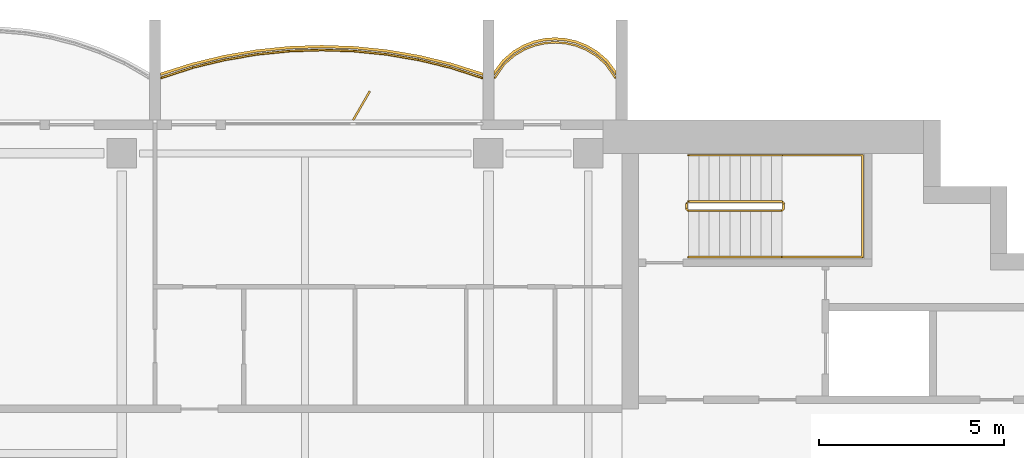
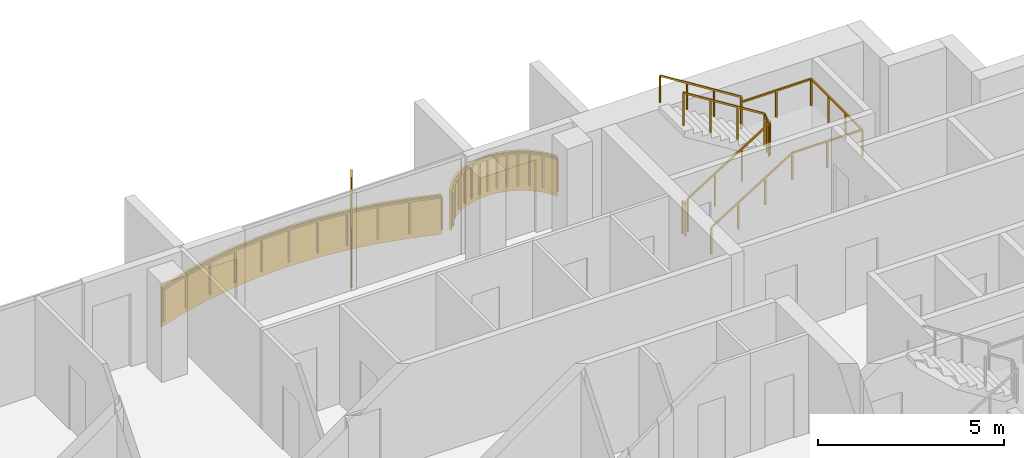
# One storey, part 16 of 16: 4 railings, 2 coverings, 1 shading device.
"""IFC4 building model written with IfcOpenShell, lengths in metres."""

import ifcopenshell
import ifcopenshell.guid

model = None  # the IFC model being written
_history = None  # IfcOwnerHistory: only IFC2X3 demands one
_inside = {}  # id of a spatial element -> (the spatial element, [elements in it])
_under = {}  # id of a project, library or spatial element -> (it, [spatial elements below it])
_declared = {}  # id of a project -> (the project, [libraries it declares])
_typed = {}  # id of a type object -> (the type object, [elements of that type])
_made_of = {}  # id of a material, layer set ... -> (it, [elements and type objects made of it])


def new_model(schema):
    """Start an empty IFC model of exactly this schema.

    Asked for "IFC4X3", IfcOpenShell would pick the latest addendum, in which some entities
    have other attributes; the version numbers below select the first issue.
    IFC2X3 requires an IfcOwnerHistory on every rooted entity: one is made here for all.
    """
    global model, _history
    if schema == "IFC4X3":
        model = ifcopenshell.file(schema_version=(4, 3, 0, 0))
    else:
        model = ifcopenshell.file(schema=schema)
    _inside.clear()
    _under.clear()
    _declared.clear()
    _typed.clear()
    _made_of.clear()
    _history = None
    if model.schema == "IFC2X3":
        org = make("IfcOrganization", Name="unknown")
        user = make(
            "IfcPersonAndOrganization",
            ThePerson=make("IfcPerson", FamilyName="unknown"),
            TheOrganization=org,
        )
        app = make(
            "IfcApplication",
            ApplicationDeveloper=org,
            Version="unknown",
            ApplicationFullName="unknown",
            ApplicationIdentifier="unknown",
        )
        _history = make(
            "IfcOwnerHistory",
            OwningUser=user,
            OwningApplication=app,
            ChangeAction="ADDED",
            CreationDate=0,
        )
    return model


def make(cls, **values):
    """One entity of the class cls with the attributes given. An attribute that is None is left unset."""
    return model.create_entity(
        cls, **{name: value for name, value in values.items() if value is not None}
    )


def rooted(cls, **values):
    """An entity with a GlobalId (a new one), such as an element, a storey or a relation."""
    return make(cls, GlobalId=ifcopenshell.guid.new(), OwnerHistory=_history, **values)


def si_unit(unit_type, name, prefix=None):
    """IfcSIUnit, for example si_unit("LENGTHUNIT", "METRE", prefix="MILLI")."""
    return make("IfcSIUnit", UnitType=unit_type, Prefix=prefix, Name=name)


def assignment(units):
    """IfcUnitAssignment: the units of a project."""
    return None if units is None else make("IfcUnitAssignment", Units=units)


def point(xyz):
    """IfcCartesianPoint."""
    return None if xyz is None else make("IfcCartesianPoint", Coordinates=xyz)


def direction(xyz):
    """IfcDirection."""
    return None if xyz is None else make("IfcDirection", DirectionRatios=xyz)


def frame(location, z_axis=None, x_axis=None):
    """IfcAxis2Placement3D, a coordinate frame: its origin and axes. An axis left out is left unset."""
    return make(
        "IfcAxis2Placement3D",
        Location=point(location),
        Axis=direction(z_axis),
        RefDirection=direction(x_axis),
    )


def frame_2d(location, x_axis=None):
    """IfcAxis2Placement2D, a coordinate frame in the plane: its origin and x axis."""
    return make(
        "IfcAxis2Placement2D", Location=point(location), RefDirection=direction(x_axis)
    )


def origin():
    """The frame at (0, 0, 0) with its axes left unset."""
    return frame((0.0, 0.0, 0.0))


def origin_2d():
    """The frame at (0, 0) in the plane with its x axis left unset."""
    return frame_2d((0.0, 0.0))


def place(relative_to, where):
    """IfcLocalPlacement: puts the frame where relative to a parent placement (None: the world)."""
    return make(
        "IfcLocalPlacement", PlacementRelTo=relative_to, RelativePlacement=where
    )


def context(
    kind, dimensions, precision=None, world=None, true_north=None, identifier=None
):
    """IfcGeometricRepresentationContext, for example the 3D "Model" context."""
    return make(
        "IfcGeometricRepresentationContext",
        ContextIdentifier=identifier,
        ContextType=kind,
        CoordinateSpaceDimension=dimensions,
        Precision=precision,
        WorldCoordinateSystem=world,
        TrueNorth=true_north,
    )


def subcontext(parent, identifier, kind, view, scale=None):
    """IfcGeometricRepresentationSubContext, for example "Body" below "Model"."""
    return make(
        "IfcGeometricRepresentationSubContext",
        ContextIdentifier=identifier,
        ContextType=kind,
        ParentContext=parent,
        TargetScale=scale,
        TargetView=view,
    )


def project(units=None, contexts=None):
    """IfcProject with its units and contexts."""
    return rooted(
        "IfcProject",
        Name="project",
        RepresentationContexts=contexts,
        UnitsInContext=assignment(units),
    )


def spatial(cls, under=None, at=None, **own):
    """A site, building, storey or space (cls), placed at a placement, below another one or the project."""
    s = rooted(cls, ObjectPlacement=at, **own)
    if under is not None:
        _under.setdefault(under.id(), (under, []))[1].append(s)
    return s


def polyline(points):
    """IfcPolyline through the points."""
    return make("IfcPolyline", Points=[point(p) for p in points])


def profile(cls, at=None, kind="AREA", **sizes):
    """A parametric profile (cls). Its sizes go by their IFC names, for example OverallWidth=200.0."""
    return make(cls, ProfileType=kind, Position=at, **sizes)


def rectangle(**sizes):
    """IfcRectangleProfileDef."""
    return profile("IfcRectangleProfileDef", **sizes)


def outline(outer, holes=None, kind="AREA"):
    """IfcArbitraryClosedProfileDef: a profile drawn as a closed curve; with holes, ...WithVoids."""
    if holes is None:
        return make("IfcArbitraryClosedProfileDef", ProfileType=kind, OuterCurve=outer)
    return make(
        "IfcArbitraryProfileDefWithVoids",
        ProfileType=kind,
        OuterCurve=outer,
        InnerCurves=holes,
    )


def extrude(swept, where, along, depth):
    """IfcExtrudedAreaSolid: the profile swept, set in the frame where, extruded along a direction by depth."""
    return make(
        "IfcExtrudedAreaSolid",
        SweptArea=swept,
        Position=where,
        ExtrudedDirection=direction(along),
        Depth=depth,
    )


def shape(context_of_items, identifier, shape_type, items):
    """IfcShapeRepresentation: the items that make up one representation, for example the "Body"."""
    return make(
        "IfcShapeRepresentation",
        ContextOfItems=context_of_items,
        RepresentationIdentifier=identifier,
        RepresentationType=shape_type,
        Items=items,
    )


def material(Name=None, Category=None):
    """IfcMaterial."""
    return make("IfcMaterial", Name=Name, Category=Category)


def layer(
    of_material, thickness, ventilated=None, Name=None, Category=None, Priority=None
):
    """IfcMaterialLayer: one layer of a wall or slab, of a material (None: an air gap)."""
    return make(
        "IfcMaterialLayer",
        Material=of_material,
        LayerThickness=thickness,
        IsVentilated=ventilated,
        Name=Name,
        Category=Category,
        Priority=Priority,
    )


def layer_set(layers, Name=None):
    """IfcMaterialLayerSet."""
    return make("IfcMaterialLayerSet", MaterialLayers=layers, LayerSetName=Name)


def made_of(thing, what):
    """Note that an element or type object is made of a material, layer set ...; save() writes the relation."""
    if what is not None:
        _made_of.setdefault(what.id(), (what, []))[1].append(thing)
    return thing


def type_object(cls, material=None, **own):
    """A type object (cls), such as IfcWallType, which elements share."""
    return made_of(rooted(cls, **own), material)


def element(
    cls,
    number,
    at=None,
    inside=None,
    cuts=None,
    type_object=None,
    material=None,
    context=None,
    identifier="Body",
    shape_type=None,
    held_by="IfcProductDefinitionShape",
    body=None,
    shapes=None,
    **own,
):
    """One element of the class cls, such as IfcWall. Its Tag is "e" and its number.

    at: its placement. inside: the storey or other place that contains it. cuts: it is an
    opening in that element (IfcRelVoidsElement). A single representation is given by context,
    identifier, shape_type and body (its items); several are given by shapes. held_by: the class
    of the entity that holds the representations. save() writes the other relations.
    """
    e = rooted(cls, Tag="e%d" % number, ObjectPlacement=at, **own)
    if body is not None:
        shapes = [shape(context, identifier, shape_type, body)]
    if shapes is not None:
        e.Representation = make(held_by, Representations=shapes)
    if inside is not None:
        _inside.setdefault(inside.id(), (inside, []))[1].append(e)
    if cuts is not None:
        rooted(
            "IfcRelVoidsElement", RelatingBuildingElement=cuts, RelatedOpeningElement=e
        )
    if type_object is not None:
        _typed.setdefault(type_object.id(), (type_object, []))[1].append(e)
    return made_of(e, material)


def aggregate(whole, parts):
    """IfcRelAggregates: a whole, such as a stair, and the parts it consists of."""
    return rooted("IfcRelAggregates", RelatingObject=whole, RelatedObjects=parts)


def save(model, path):
    """Write the relations noted so far, then the file.

    IfcRelAggregates (storeys below a building ...), IfcRelContainedInSpatialStructure (elements
    in a storey), IfcRelDefinesByType, IfcRelAssociatesMaterial and IfcRelDeclares: one each for
    every whole, place, type object, material and project.
    """
    for whole, parts in _under.values():
        aggregate(whole, parts)
    for where, things in _inside.values():
        rooted(
            "IfcRelContainedInSpatialStructure",
            RelatedElements=things,
            RelatingStructure=where,
        )
    for kind, things in _typed.values():
        rooted("IfcRelDefinesByType", RelatedObjects=things, RelatingType=kind)
    for what, things in _made_of.values():
        rooted("IfcRelAssociatesMaterial", RelatedObjects=things, RelatingMaterial=what)
    for by, libraries in _declared.values():
        rooted("IfcRelDeclares", RelatingContext=by, RelatedDefinitions=libraries)
    model.write(path)


model = new_model("IFC4")

# Units and contexts
model_context = context("Model", 3, precision=1e-05, world=origin(), true_north=direction((0.0, 1.0)))
body_context = subcontext(model_context, "Body", "Model", "MODEL_VIEW")
ifc_project = project(units=[si_unit("LENGTHUNIT", "METRE"), si_unit("AREAUNIT", "SQUARE_METRE"), si_unit("VOLUMEUNIT", "CUBIC_METRE"), si_unit("PLANEANGLEUNIT", "RADIAN"), si_unit("MASSUNIT", "GRAM", prefix="KILO")], contexts=[model_context])

# Site, building, storey
site_placement = place(None, origin())
site = spatial("IfcSite", under=ifc_project, at=site_placement, CompositionType="ELEMENT")
building_placement = place(site_placement, origin())
building = spatial("IfcBuilding", under=site, at=building_placement, Name="Perihelion Cross Residences", CompositionType="ELEMENT")
storey_placement = place(building_placement, frame((0.0, 0.0, 232.5)))
storey = spatial("IfcBuildingStorey", under=building, at=storey_placement, Name="L58", CompositionType="ELEMENT", Elevation=232.5)

# Coverings
ifc_material_1 = material(Name="Bronze anodised aluminium", Category="aluminium")
ifc_layer_1 = layer(ifc_material_1, 0.070068359375)
ifc_layer_set_1 = layer_set([ifc_layer_1], Name="Balcony fascia 1300")
covering_type = type_object("IfcCoveringType", Name="Balcony fascia 1300", PredefinedType="CLADDING", material=ifc_layer_set_1)
covering_1_placement = place(storey_placement, frame((0.0, 0.0, -0.199951171875)))
element("IfcCovering", 1, at=covering_1_placement, inside=storey, type_object=covering_type, Name="Fascia BF1 L58 east side north bay 1", PredefinedType="CLADDING", context=body_context, shape_type="SweptSolid", body=[
    extrude(outline(polyline([(21.226318359375, 10.616455078125), (20.94091796875, 10.86328125), (20.655517578125, 11.031494140625), (20.370361328125, 11.142578125), (20.085205078125, 11.206298828125), (19.800048828125, 11.22705078125), (19.514892578125, 11.206298828125), (19.229736328125, 11.142578125), (18.9443359375, 11.031494140625), (18.6591796875, 10.86328125), (18.373779296875, 10.616455078125), (18.14990234375, 10.31689453125), (18.14990234375, 10.199951171875), (18.425048828125, 10.568603515625), (18.699951171875, 10.806396484375), (18.97509765625, 10.96875), (19.25, 11.07568359375), (19.52490234375, 11.136962890625), (19.800048828125, 11.156982421875), (20.074951171875, 11.136962890625), (20.35009765625, 11.07568359375), (20.625, 10.96875), (20.89990234375, 10.806396484375), (21.175048828125, 10.568603515625), (21.449951171875, 10.199951171875), (21.449951171875, 10.31689453125), (21.226318359375, 10.616455078125)])), origin(), (0.0, 0.0, 1.0), 1.300048828125),
])
covering_2_placement = place(storey_placement, frame((0.0, 0.0, -0.199951171875)))
element("IfcCovering", 2, at=covering_2_placement, inside=storey, type_object=covering_type, Name="Fascia BF1 L58 east side north bay 2", PredefinedType="CLADDING", context=body_context, shape_type="SweptSolid", body=[
    extrude(outline(polyline([(16.998779296875, 10.542724609375), (16.1240234375, 10.753662109375), (15.249267578125, 10.90234375), (14.374755859375, 10.99072265625), (13.5, 11.02001953125), (12.625244140625, 10.99072265625), (11.750732421875, 10.90234375), (10.8759765625, 10.753662109375), (10.001220703125, 10.542724609375), (9.14990234375, 10.2734375), (9.14990234375, 10.199951171875), (10.02001953125, 10.47509765625), (10.889892578125, 10.68505859375), (11.760009765625, 10.8330078125), (12.6298828125, 10.9208984375), (13.5, 10.949951171875), (14.3701171875, 10.9208984375), (15.239990234375, 10.8330078125), (16.110107421875, 10.68505859375), (16.97998046875, 10.47509765625), (17.85009765625, 10.199951171875), (17.85009765625, 10.2734375), (16.998779296875, 10.542724609375)])), origin(), (0.0, 0.0, 1.0), 1.300048828125),
])

# Railings
ifc_material_2 = material(Name="Bronze anodised aluminium", Category="aluminium")
railing_type_1 = type_object("IfcRailingType", Name="Balcony guard 1100", PredefinedType="GUARDRAIL", material=ifc_material_2)
railing_1_placement = place(storey_placement, frame((21.425048828125, 10.139892578125, 0.0)))
element("IfcRailing", 3, at=railing_1_placement, inside=storey, type_object=railing_type_1, Name="Guard GU1 L58 east side north bay 1 balcony", PredefinedType="GUARDRAIL", context=body_context, shape_type="SweptSolid", body=[
    extrude(rectangle(XDim=0.048095703125, YDim=0.048095703125, at=origin_2d()), frame((0.0, 0.0, 1.076171875), z_axis=(-0.561260132269, 0.827639452857, 0.0), x_axis=(-0.827639452857, -0.561260132269, 0.0)), (0.0, 0.0, 1.0), 0.4453125),
    extrude(rectangle(XDim=0.048095703125, YDim=0.048095703125, at=origin_2d()), frame((-0.25, 0.36865234375, 1.076171875), z_axis=(-0.756596535164, 0.653882009982, 0.0), x_axis=(-0.653882009982, -0.756596535164, 0.0)), (0.0, 0.0, 1.0), 0.36376953125),
    extrude(rectangle(XDim=0.048095703125, YDim=0.048095703125, at=origin_2d()), frame((-0.525146484375, 0.6064453125, 1.076171875), z_axis=(-0.861048292884, 0.508523192511, 0.0), x_axis=(-0.508523192511, -0.861048292884, 0.0)), (0.0, 0.0, 1.0), 0.3193359375),
    extrude(rectangle(XDim=0.048095703125, YDim=0.048095703125, at=origin_2d()), frame((-0.800048828125, 0.768798828125, 1.076171875), z_axis=(-0.931973602183, 0.362526143656, 0.0), x_axis=(-0.362526143656, -0.931973602183, 0.0)), (0.0, 0.0, 1.0), 0.294921875),
    extrude(rectangle(XDim=0.048095703125, YDim=0.048095703125, at=origin_2d()), frame((-1.074951171875, 0.875732421875, 1.076171875), z_axis=(-0.976085059389, 0.21738895289, 0.0), x_axis=(-0.21738895289, -0.976085059389, 0.0)), (0.0, 0.0, 1.0), 0.281982421875),
    extrude(rectangle(XDim=0.048095703125, YDim=0.048095703125, at=origin_2d()), frame((-1.35009765625, 0.93701171875, 1.076171875), z_axis=(-0.997358821833, 0.072631814734, 0.0), x_axis=(-0.072631814734, -0.997358821833, 0.0)), (0.0, 0.0, 1.0), 0.275634765625),
    extrude(rectangle(XDim=0.048095703125, YDim=0.048095703125, at=origin_2d()), frame((-1.625, 0.95703125, 1.076171875), z_axis=(-0.997363488337, -0.072567707226, 0.0), x_axis=(0.072567707226, -0.997363488337, 0.0)), (0.0, 0.0, 1.0), 0.27587890625),
    extrude(rectangle(XDim=0.048095703125, YDim=0.048095703125, at=origin_2d()), frame((-1.900146484375, 0.93701171875, 1.076171875), z_axis=(-0.976044077717, -0.217572880557, 0.0), x_axis=(0.217572880557, -0.976044077717, 0.0)), (0.0, 0.0, 1.0), 0.28173828125),
    extrude(rectangle(XDim=0.048095703125, YDim=0.048095703125, at=origin_2d()), frame((-2.175048828125, 0.875732421875, 1.076171875), z_axis=(-0.931973602183, -0.362526143656, 0.0), x_axis=(0.362526143656, -0.931973602183, 0.0)), (0.0, 0.0, 1.0), 0.294921875),
    extrude(rectangle(XDim=0.048095703125, YDim=0.048095703125, at=origin_2d()), frame((-2.449951171875, 0.768798828125, 1.076171875), z_axis=(-0.861245845072, -0.508188542123, 0.0), x_axis=(0.508188542123, -0.861245845072, 0.0)), (0.0, 0.0, 1.0), 0.319580078125),
    extrude(rectangle(XDim=0.048095703125, YDim=0.048095703125, at=origin_2d()), frame((-2.72509765625, 0.6064453125, 1.076171875), z_axis=(-0.756309278473, -0.654214242658, 0.0), x_axis=(0.654214242658, -0.756309278473, 0.0)), (0.0, 0.0, 1.0), 0.363525390625),
    extrude(rectangle(XDim=0.048095703125, YDim=0.048095703125, at=origin_2d()), frame((-3.0, 0.36865234375, 1.076171875), z_axis=(-0.561260132269, -0.827639452857, 0.0), x_axis=(0.827639452857, -0.561260132269, 0.0)), (0.0, 0.0, 1.0), 0.4453125),
    extrude(rectangle(XDim=0.0419921875, YDim=0.0419921875, at=origin_2d()), origin(), (0.0, 0.0, 1.0), 1.052001953125),
    extrude(rectangle(XDim=0.0419921875, YDim=0.0419921875, at=origin_2d()), frame((-0.25, 0.36865234375, 0.0)), (0.0, 0.0, 1.0), 1.052001953125),
    extrude(rectangle(XDim=0.0419921875, YDim=0.0419921875, at=origin_2d()), frame((-0.525146484375, 0.6064453125, 0.0)), (0.0, 0.0, 1.0), 1.052001953125),
    extrude(rectangle(XDim=0.0419921875, YDim=0.0419921875, at=origin_2d()), frame((-0.800048828125, 0.768798828125, 0.0)), (0.0, 0.0, 1.0), 1.052001953125),
    extrude(rectangle(XDim=0.0419921875, YDim=0.0419921875, at=origin_2d()), frame((-1.074951171875, 0.875732421875, 0.0)), (0.0, 0.0, 1.0), 1.052001953125),
    extrude(rectangle(XDim=0.0419921875, YDim=0.0419921875, at=origin_2d()), frame((-1.35009765625, 0.93701171875, 0.0)), (0.0, 0.0, 1.0), 1.052001953125),
    extrude(rectangle(XDim=0.0419921875, YDim=0.0419921875, at=origin_2d()), frame((-1.625, 0.95703125, 0.0)), (0.0, 0.0, 1.0), 1.052001953125),
    extrude(rectangle(XDim=0.0419921875, YDim=0.0419921875, at=origin_2d()), frame((-1.900146484375, 0.93701171875, 0.0)), (0.0, 0.0, 1.0), 1.052001953125),
    extrude(rectangle(XDim=0.0419921875, YDim=0.0419921875, at=origin_2d()), frame((-2.175048828125, 0.875732421875, 0.0)), (0.0, 0.0, 1.0), 1.052001953125),
    extrude(rectangle(XDim=0.0419921875, YDim=0.0419921875, at=origin_2d()), frame((-2.449951171875, 0.768798828125, 0.0)), (0.0, 0.0, 1.0), 1.052001953125),
    extrude(rectangle(XDim=0.0419921875, YDim=0.0419921875, at=origin_2d()), frame((-2.72509765625, 0.6064453125, 0.0)), (0.0, 0.0, 1.0), 1.052001953125),
    extrude(rectangle(XDim=0.0419921875, YDim=0.0419921875, at=origin_2d()), frame((-3.0, 0.36865234375, 0.0)), (0.0, 0.0, 1.0), 1.052001953125),
    extrude(rectangle(XDim=0.0419921875, YDim=0.0419921875, at=origin_2d()), frame((-3.25, 0.0, 0.0)), (0.0, 0.0, 1.0), 1.052001953125),
])
railing_2_placement = place(storey_placement, frame((17.824951171875, 10.139892578125, 0.0)))
element("IfcRailing", 4, at=railing_2_placement, inside=storey, type_object=railing_type_1, Name="Guard GU1 L58 east side north bay 2 balcony", PredefinedType="GUARDRAIL", context=body_context, shape_type="SweptSolid", body=[
    extrude(rectangle(XDim=0.048095703125, YDim=0.048095703125, at=origin_2d()), frame((0.0, 0.0, 1.076171875), z_axis=(-0.950777354264, 0.30987484993, 0.0), x_axis=(-0.30987484993, -0.950777354264, 0.0)), (0.0, 0.0, 1.0), 0.888671875),
    extrude(rectangle(XDim=0.048095703125, YDim=0.048095703125, at=origin_2d()), frame((-0.844970703125, 0.275390625, 1.076171875), z_axis=(-0.972146551129, 0.234373810671, 0.0), x_axis=(-0.234373810671, -0.972146551129, 0.0)), (0.0, 0.0, 1.0), 0.894775390625),
    extrude(rectangle(XDim=0.048095703125, YDim=0.048095703125, at=origin_2d()), frame((-1.71484375, 0.485107421875, 1.076171875), z_axis=(-0.985850361727, 0.167627755108, 0.0), x_axis=(-0.167627755108, -0.985850361727, 0.0)), (0.0, 0.0, 1.0), 0.882568359375),
    extrude(rectangle(XDim=0.048095703125, YDim=0.048095703125, at=origin_2d()), frame((-2.5849609375, 0.633056640625, 1.076171875), z_axis=(-0.994934368303, 0.100526627165, 0.0), x_axis=(-0.100526627165, -0.994934368303, 0.0)), (0.0, 0.0, 1.0), 0.874267578125),
    extrude(rectangle(XDim=0.048095703125, YDim=0.048095703125, at=origin_2d()), frame((-3.454833984375, 0.720947265625, 1.076171875), z_axis=(-0.999443037968, 0.0333708534, 0.0), x_axis=(-0.0333708534, -0.999443037968, 0.0)), (0.0, 0.0, 1.0), 0.87060546875),
    extrude(rectangle(XDim=0.048095703125, YDim=0.048095703125, at=origin_2d()), frame((-4.324951171875, 0.75, 1.076171875), z_axis=(-0.999443037968, -0.0333708534, 0.0), x_axis=(0.0333708534, -0.999443037968, 0.0)), (0.0, 0.0, 1.0), 0.87060546875),
    extrude(rectangle(XDim=0.048095703125, YDim=0.048095703125, at=origin_2d()), frame((-5.195068359375, 0.720947265625, 1.076171875), z_axis=(-0.994934368303, -0.100526627165, 0.0), x_axis=(0.100526627165, -0.994934368303, 0.0)), (0.0, 0.0, 1.0), 0.874267578125),
    extrude(rectangle(XDim=0.048095703125, YDim=0.048095703125, at=origin_2d()), frame((-6.06494140625, 0.633056640625, 1.076171875), z_axis=(-0.985850361727, -0.167627755108, 0.0), x_axis=(0.167627755108, -0.985850361727, 0.0)), (0.0, 0.0, 1.0), 0.882568359375),
    extrude(rectangle(XDim=0.048095703125, YDim=0.048095703125, at=origin_2d()), frame((-6.93505859375, 0.485107421875, 1.076171875), z_axis=(-0.972146551129, -0.234373810671, 0.0), x_axis=(0.234373810671, -0.972146551129, 0.0)), (0.0, 0.0, 1.0), 0.894775390625),
    extrude(rectangle(XDim=0.048095703125, YDim=0.048095703125, at=origin_2d()), frame((-7.804931640625, 0.275390625, 1.076171875), z_axis=(-0.950777354264, -0.30987484993, 0.0), x_axis=(0.30987484993, -0.950777354264, 0.0)), (0.0, 0.0, 1.0), 0.888671875),
    extrude(rectangle(XDim=0.0419921875, YDim=0.0419921875, at=origin_2d()), origin(), (0.0, 0.0, 1.0), 1.052001953125),
    extrude(rectangle(XDim=0.0419921875, YDim=0.0419921875, at=origin_2d()), frame((-0.844970703125, 0.275390625, 0.0)), (0.0, 0.0, 1.0), 1.052001953125),
    extrude(rectangle(XDim=0.0419921875, YDim=0.0419921875, at=origin_2d()), frame((-1.71484375, 0.485107421875, 0.0)), (0.0, 0.0, 1.0), 1.052001953125),
    extrude(rectangle(XDim=0.0419921875, YDim=0.0419921875, at=origin_2d()), frame((-2.5849609375, 0.633056640625, 0.0)), (0.0, 0.0, 1.0), 1.052001953125),
    extrude(rectangle(XDim=0.0419921875, YDim=0.0419921875, at=origin_2d()), frame((-3.454833984375, 0.720947265625, 0.0)), (0.0, 0.0, 1.0), 1.052001953125),
    extrude(rectangle(XDim=0.0419921875, YDim=0.0419921875, at=origin_2d()), frame((-4.324951171875, 0.75, 0.0)), (0.0, 0.0, 1.0), 1.052001953125),
    extrude(rectangle(XDim=0.0419921875, YDim=0.0419921875, at=origin_2d()), frame((-5.195068359375, 0.720947265625, 0.0)), (0.0, 0.0, 1.0), 1.052001953125),
    extrude(rectangle(XDim=0.0419921875, YDim=0.0419921875, at=origin_2d()), frame((-6.06494140625, 0.633056640625, 0.0)), (0.0, 0.0, 1.0), 1.052001953125),
    extrude(rectangle(XDim=0.0419921875, YDim=0.0419921875, at=origin_2d()), frame((-6.93505859375, 0.485107421875, 0.0)), (0.0, 0.0, 1.0), 1.052001953125),
    extrude(rectangle(XDim=0.0419921875, YDim=0.0419921875, at=origin_2d()), frame((-7.804931640625, 0.275390625, 0.0)), (0.0, 0.0, 1.0), 1.052001953125),
    extrude(rectangle(XDim=0.0419921875, YDim=0.0419921875, at=origin_2d()), frame((-8.64990234375, 0.0, 0.0)), (0.0, 0.0, 1.0), 1.052001953125),
])

# Shading device
ifc_material_3 = material(Name="Bronze anodised aluminium", Category="aluminium")
ifc_layer_2 = layer(ifc_material_3, 0.050048828125)
ifc_layer_set_2 = layer_set([ifc_layer_2], Name="Bronze fin 900")
shading_device_type = type_object("IfcShadingDeviceType", Name="Bronze fin 900", PredefinedType="USERDEFINED", material=ifc_layer_set_2)
shading_device_placement = place(storey_placement, frame((14.574951171875, 9.3896484375, 0.0), z_axis=(0.0, 0.0, 1.0), x_axis=(0.5, 0.866025403784, 0.0)))
element("IfcShadingDevice", 5, at=shading_device_placement, inside=storey, type_object=shading_device_type, Name="Fin FN1 L58 east side north bay 2", ObjectType="FIN", PredefinedType="USERDEFINED", context=body_context, shape_type="SweptSolid", body=[
    extrude(rectangle(XDim=0.89990234375, YDim=0.050048828125, at=origin_2d()), origin(), (0.0, 0.0, 1.0), 3.25),
])

# Railings
ifc_material_4 = material(Name="Stainless steel", Category="steel")
railing_type_2 = type_object("IfcRailingType", Name="Stair guard 1100", PredefinedType="GUARDRAIL", material=ifc_material_4)
railing_3_placement = place(storey_placement, frame((23.35009765625, 6.75, 0.0)))
element("IfcRailing", 6, at=railing_3_placement, inside=storey, type_object=railing_type_2, Name="L58 ST-E1 stair guard 1", PredefinedType="GUARDRAIL", context=body_context, shape_type="SweptSolid", body=[
    extrude(rectangle(XDim=0.048095703125, YDim=0.048095703125, at=origin_2d()), frame((0.0, 0.0, 1.076171875), z_axis=(0.0, -1.0, 0.0), x_axis=(1.0, 0.0, 0.0)), (0.0, 0.0, 1.0), 0.14990234375),
    extrude(rectangle(XDim=0.048095703125, YDim=0.048095703125, at=origin_2d()), frame((0.0, -0.14990234375, 1.076171875), z_axis=(0.263862480399, -0.265155923931, 0.927399011991), x_axis=(0.708833529934, 0.705375805398, 0.0)), (0.0, 0.0, 1.0), 0.188720703125),
    extrude(rectangle(XDim=0.048095703125, YDim=0.048095703125, at=origin_2d()), frame((0.0498046875, -0.199951171875, 1.2509765625), z_axis=(0.848007534815, 0.0, 0.529984170421), x_axis=(0.0, 1.0, 0.0)), (0.0, 0.0, 1.0), 2.9716796875),
    extrude(rectangle(XDim=0.048095703125, YDim=0.048095703125, at=origin_2d()), frame((2.56982421875, -0.199951171875, 2.826171875), z_axis=(0.707106781187, 0.707106781187, 0.0), x_axis=(-0.707106781187, 0.707106781187, 0.0)), (0.0, 0.0, 1.0), 0.07080078125),
    extrude(rectangle(XDim=0.048095703125, YDim=0.048095703125, at=origin_2d()), frame((2.619873046875, -0.14990234375, 2.826171875), z_axis=(0.0, 1.0, 0.0), x_axis=(-1.0, 0.0, 0.0)), (0.0, 0.0, 1.0), 0.14990234375),
    extrude(rectangle(XDim=0.048095703125, YDim=0.048095703125, at=origin_2d()), frame((2.619873046875, 0.0, 2.826171875), z_axis=(-0.265065253269, 0.265065253269, 0.927081885822), x_axis=(-0.707106781187, -0.707106781187, 0.0)), (0.0, 0.0, 1.0), 0.188720703125),
    extrude(rectangle(XDim=0.048095703125, YDim=0.048095703125, at=origin_2d()), frame((2.56982421875, 0.050048828125, 3.0009765625), z_axis=(-0.848007534815, 0.0, 0.529984170421), x_axis=(0.0, -1.0, 0.0)), (0.0, 0.0, 1.0), 2.9716796875),
    extrude(rectangle(XDim=0.0419921875, YDim=0.0419921875, at=origin_2d()), origin(), (0.0, 0.0, 1.0), 1.052001953125),
    extrude(rectangle(XDim=0.0419921875, YDim=0.0419921875, at=origin_2d()), frame((0.0, -0.14990234375, 0.0)), (0.0, 0.0, 1.0), 1.052001953125),
    extrude(rectangle(XDim=0.0419921875, YDim=0.0419921875, at=origin_2d()), frame((0.0498046875, -0.199951171875, 0.175048828125)), (0.0, 0.0, 1.0), 1.052001953125),
    extrude(rectangle(XDim=0.0419921875, YDim=0.0419921875, at=origin_2d()), frame((0.889892578125, -0.199951171875, 0.699951171875)), (0.0, 0.0, 1.0), 1.052001953125),
    extrude(rectangle(XDim=0.0419921875, YDim=0.0419921875, at=origin_2d()), frame((1.729736328125, -0.199951171875, 1.22509765625)), (0.0, 0.0, 1.0), 1.052001953125),
    extrude(rectangle(XDim=0.0419921875, YDim=0.0419921875, at=origin_2d()), frame((2.56982421875, -0.199951171875, 1.75)), (0.0, 0.0, 1.0), 1.052001953125),
    extrude(rectangle(XDim=0.0419921875, YDim=0.0419921875, at=origin_2d()), frame((2.619873046875, -0.14990234375, 1.75)), (0.0, 0.0, 1.0), 1.052001953125),
    extrude(rectangle(XDim=0.0419921875, YDim=0.0419921875, at=origin_2d()), frame((2.619873046875, 0.0, 1.75)), (0.0, 0.0, 1.0), 1.052001953125),
    extrude(rectangle(XDim=0.0419921875, YDim=0.0419921875, at=origin_2d()), frame((2.56982421875, 0.050048828125, 1.925048828125)), (0.0, 0.0, 1.0), 1.052001953125),
    extrude(rectangle(XDim=0.0419921875, YDim=0.0419921875, at=origin_2d()), frame((1.729736328125, 0.050048828125, 2.449951171875)), (0.0, 0.0, 1.0), 1.052001953125),
    extrude(rectangle(XDim=0.0419921875, YDim=0.0419921875, at=origin_2d()), frame((0.889892578125, 0.050048828125, 2.97509765625)), (0.0, 0.0, 1.0), 1.052001953125),
    extrude(rectangle(XDim=0.0419921875, YDim=0.0419921875, at=origin_2d()), frame((0.0498046875, 0.050048828125, 3.5)), (0.0, 0.0, 1.0), 1.052001953125),
])
ifc_material_5 = material(Name="Stainless steel", Category="steel")
railing_type_3 = type_object("IfcRailingType", Name="Stair handrail 900", PredefinedType="HANDRAIL", material=ifc_material_5)
railing_4_placement = place(storey_placement, frame((23.39990234375, 5.300048828125, 0.175048828125)))
element("IfcRailing", 7, at=railing_4_placement, inside=storey, type_object=railing_type_3, Name="L58 ST-E1 stair handrail 1", PredefinedType="HANDRAIL", context=body_context, shape_type="SweptSolid", body=[
    extrude(rectangle(XDim=0.048095703125, YDim=0.048095703125, at=origin_2d()), frame((0.0, 0.0, 0.8759765625), z_axis=(0.848007534815, 0.0, 0.529984170421), x_axis=(0.0, 1.0, 0.0)), (0.0, 0.0, 1.0), 2.9716796875),
    extrude(rectangle(XDim=0.048095703125, YDim=0.048095703125, at=origin_2d()), frame((2.52001953125, 0.0, 2.45068359375), z_axis=(1.0, 0.0, 0.0), x_axis=(0.0, 1.0, 0.0)), (0.0, 0.0, 1.0), 2.18017578125),
    extrude(rectangle(XDim=0.048095703125, YDim=0.048095703125, at=origin_2d()), frame((4.7001953125, 0.0, 2.45068359375), z_axis=(0.0, 1.0, 0.0), x_axis=(-1.0, 0.0, 0.0)), (0.0, 0.0, 1.0), 2.75),
    extrude(rectangle(XDim=0.048095703125, YDim=0.048095703125, at=origin_2d()), frame((4.7001953125, 2.75, 2.45068359375), z_axis=(-1.0, 0.0, 0.0), x_axis=(0.0, -1.0, 0.0)), (0.0, 0.0, 1.0), 2.18017578125),
    extrude(rectangle(XDim=0.048095703125, YDim=0.048095703125, at=origin_2d()), frame((2.52001953125, 2.75, 2.45068359375), z_axis=(0.0, 0.0, 1.0), x_axis=(1.0, 0.0, 0.0)), (0.0, 0.0, 1.0), 0.175048828125),
    extrude(rectangle(XDim=0.048095703125, YDim=0.048095703125, at=origin_2d()), frame((2.52001953125, 2.75, 2.6259765625), z_axis=(-0.848007534815, 0.0, 0.529984170421), x_axis=(0.0, -1.0, 0.0)), (0.0, 0.0, 1.0), 2.9716796875),
    extrude(rectangle(XDim=0.0419921875, YDim=0.0419921875, at=origin_2d()), origin(), (0.0, 0.0, 1.0), 0.851806640625),
    extrude(rectangle(XDim=0.0419921875, YDim=0.0419921875, at=origin_2d()), frame((0.840087890625, 0.0, 0.52490234375)), (0.0, 0.0, 1.0), 0.851806640625),
    extrude(rectangle(XDim=0.0419921875, YDim=0.0419921875, at=origin_2d()), frame((1.679931640625, 0.0, 1.050048828125)), (0.0, 0.0, 1.0), 0.851806640625),
    extrude(rectangle(XDim=0.0419921875, YDim=0.0419921875, at=origin_2d()), frame((2.52001953125, 0.0, 1.574951171875)), (0.0, 0.0, 1.0), 0.851806640625),
    extrude(rectangle(XDim=0.0419921875, YDim=0.0419921875, at=origin_2d()), frame((3.610107421875, 0.0, 1.574951171875)), (0.0, 0.0, 1.0), 0.851806640625),
    extrude(rectangle(XDim=0.0419921875, YDim=0.0419921875, at=origin_2d()), frame((4.7001953125, 0.0, 1.574951171875)), (0.0, 0.0, 1.0), 0.851806640625),
    extrude(rectangle(XDim=0.0419921875, YDim=0.0419921875, at=origin_2d()), frame((4.7001953125, 0.916748046875, 1.574951171875)), (0.0, 0.0, 1.0), 0.851806640625),
    extrude(rectangle(XDim=0.0419921875, YDim=0.0419921875, at=origin_2d()), frame((4.7001953125, 1.833251953125, 1.574951171875)), (0.0, 0.0, 1.0), 0.851806640625),
    extrude(rectangle(XDim=0.0419921875, YDim=0.0419921875, at=origin_2d()), frame((4.7001953125, 2.75, 1.574951171875)), (0.0, 0.0, 1.0), 0.851806640625),
    extrude(rectangle(XDim=0.0419921875, YDim=0.0419921875, at=origin_2d()), frame((3.610107421875, 2.75, 1.574951171875)), (0.0, 0.0, 1.0), 0.851806640625),
    extrude(rectangle(XDim=0.0419921875, YDim=0.0419921875, at=origin_2d()), frame((2.52001953125, 2.75, 1.574951171875)), (0.0, 0.0, 1.0), 0.851806640625),
    extrude(rectangle(XDim=0.0419921875, YDim=0.0419921875, at=origin_2d()), frame((2.52001953125, 2.75, 1.75)), (0.0, 0.0, 1.0), 0.851806640625),
    extrude(rectangle(XDim=0.0419921875, YDim=0.0419921875, at=origin_2d()), frame((1.679931640625, 2.75, 2.27490234375)), (0.0, 0.0, 1.0), 0.851806640625),
    extrude(rectangle(XDim=0.0419921875, YDim=0.0419921875, at=origin_2d()), frame((0.840087890625, 2.75, 2.800048828125)), (0.0, 0.0, 1.0), 0.851806640625),
    extrude(rectangle(XDim=0.0419921875, YDim=0.0419921875, at=origin_2d()), frame((0.0, 2.75, 3.324951171875)), (0.0, 0.0, 1.0), 0.851806640625),
])

save(model, "model.ifc")
